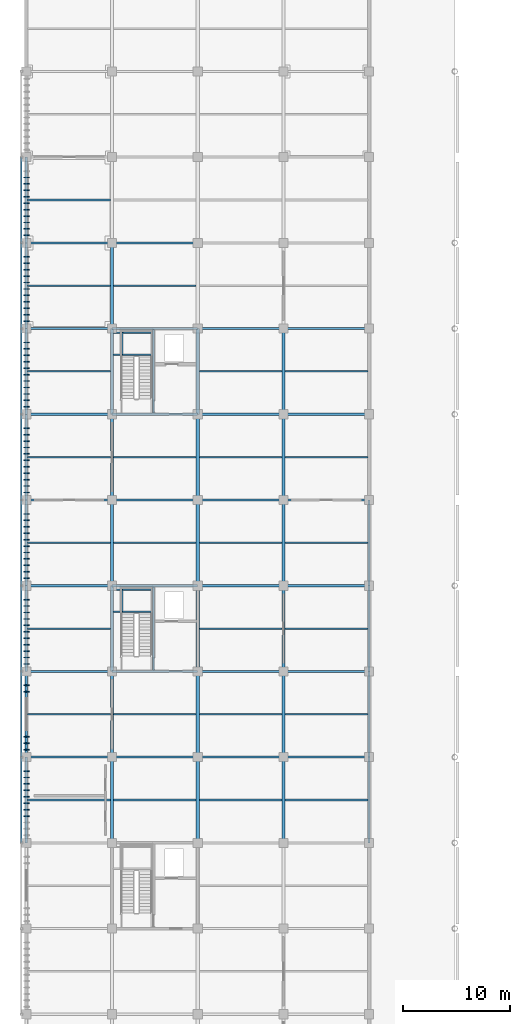
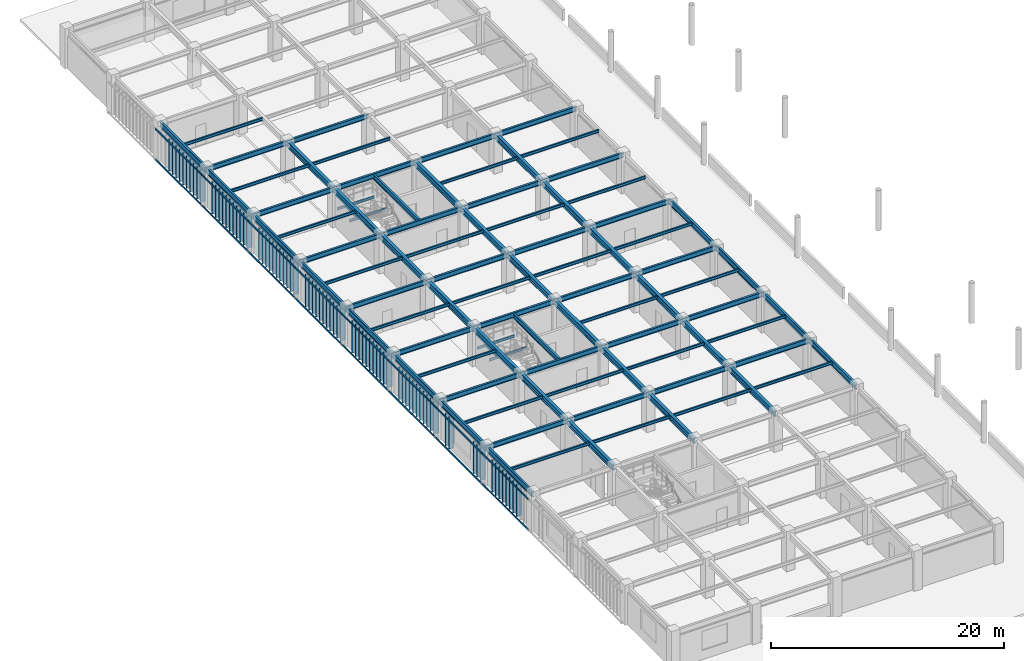
# One storey, part 27 of 78: 94 members, 90 beams.
"""IFC4 building model written with IfcOpenShell, lengths in metres."""

from ifc_helpers import new_model, si_unit, direction, frame, origin, origin_2d, place, context, subcontext, project, spatial, rectangle, hollow_rectangle, i_section, extrude, material, material_profile, profile_set, type_object, element, save


model = new_model("IFC4")

# Units and contexts
model_context = context("Model", 3, precision=1e-05, world=origin(), true_north=direction((0.0, 1.0)))
body_context = subcontext(model_context, "Body", "Model", "MODEL_VIEW")
ifc_project = project(units=[si_unit("LENGTHUNIT", "METRE"), si_unit("AREAUNIT", "SQUARE_METRE"), si_unit("VOLUMEUNIT", "CUBIC_METRE"), si_unit("PLANEANGLEUNIT", "RADIAN"), si_unit("MASSUNIT", "GRAM", prefix="KILO")], contexts=[model_context])

# Site, building, storey
site_placement = place(None, origin())
site = spatial("IfcSite", under=ifc_project, at=site_placement, CompositionType="ELEMENT")
building_placement = place(site_placement, origin())
building = spatial("IfcBuilding", under=site, at=building_placement, Name="Haebicheon Civic Stadium", CompositionType="ELEMENT")
storey_placement = place(building_placement, frame((0.0, 0.0, 18.60009765625)))
storey = spatial("IfcBuildingStorey", under=building, at=storey_placement, Name="L05", CompositionType="ELEMENT", Elevation=18.60009765625)

# Beams
ifc_material_1 = material(Name="Steel SM355 (S355)", Category="steel")
ifc_material_profile_1 = material_profile(ifc_material_1, i_section(OverallWidth=0.199951171875, OverallDepth=0.5, WebThickness=0.010009765625, FlangeThickness=0.01611328125, at=origin_2d()), Name="H-500x200x10x16")
ifc_profile_set_1 = profile_set([ifc_material_profile_1], Name="Steel SM355 (S355)")
beam_type_1 = type_object("IfcBeamType", Name="BM-ST-H500", PredefinedType="BEAM", material=ifc_profile_set_1)
for number, where, z_axis, x_axis, name in (
    (1, (24.0, 72.0, 3.699951171875), (1.0, 0.0, 0.0), (0.0, 1.0, 0.0), "L05 beam K/4-5"),
    (2, (24.0, 80.0, 3.699951171875), (1.0, 0.0, 0.0), (0.0, 1.0, 0.0), "L05 beam L/4-5"),
    (3, (24.0, 88.0, 3.699951171875), (1.0, 0.0, 0.0), (0.0, 1.0, 0.0), "L05 beam M/4-5"),
    (4, (24.0, 96.0, 3.699951171875), (1.0, 0.0, 0.0), (0.0, 1.0, 0.0), "L05 beam N/4-5"),
    (5, (24.0, 104.0, 3.699951171875), (1.0, 0.0, 0.0), (0.0, 1.0, 0.0), "L05 beam P/4-5"),
    (6, (24.0, 112.0, 3.699951171875), (1.0, 0.0, 0.0), (0.0, 1.0, 0.0), "L05 beam Q/4-5"),
    (7, (24.0, 120.0, 3.699951171875), (1.0, 0.0, 0.0), (0.0, 1.0, 0.0), "L05 beam R/4-5"),
    (8, (32.0, 72.0, 3.699951171875), (1.0, 0.0, 0.0), (0.0, 1.0, 0.0), "L05 beam K/5-6"),
    (9, (32.0, 80.0, 3.699951171875), (1.0, 0.0, 0.0), (0.0, 1.0, 0.0), "L05 beam L/5-6"),
    (10, (32.0, 88.0, 3.699951171875), (1.0, 0.0, 0.0), (0.0, 1.0, 0.0), "L05 beam M/5-6"),
    (11, (32.0, 96.0, 3.699951171875), (1.0, 0.0, 0.0), (0.0, 1.0, 0.0), "L05 beam N/5-6"),
    (12, (32.0, 104.0, 3.699951171875), (1.0, 0.0, 0.0), (0.0, 1.0, 0.0), "L05 beam P/5-6"),
    (13, (32.0, 112.0, 3.699951171875), (1.0, 0.0, 0.0), (0.0, 1.0, 0.0), "L05 beam Q/5-6"),
    (14, (32.0, 120.0, 3.699951171875), (1.0, 0.0, 0.0), (0.0, 1.0, 0.0), "L05 beam R/5-6"),
    (15, (40.0, 72.0, 3.699951171875), (1.0, 0.0, 0.0), (0.0, 1.0, 0.0), "L05 beam K/6-7"),
    (16, (40.0, 80.0, 3.699951171875), (1.0, 0.0, 0.0), (0.0, 1.0, 0.0), "L05 beam L/6-7"),
    (17, (40.0, 88.0, 3.699951171875), (1.0, 0.0, 0.0), (0.0, 1.0, 0.0), "L05 beam M/6-7"),
    (18, (40.0, 96.0, 3.699951171875), (1.0, 0.0, 0.0), (0.0, 1.0, 0.0), "L05 beam N/6-7"),
    (19, (40.0, 104.0, 3.699951171875), (1.0, 0.0, 0.0), (0.0, 1.0, 0.0), "L05 beam P/6-7"),
    (20, (40.0, 112.0, 3.699951171875), (1.0, 0.0, 0.0), (0.0, 1.0, 0.0), "L05 beam Q/6-7"),
    (21, (48.0, 72.0, 3.72998046875), (1.0, 0.0, 0.0), (0.0, 1.0, 0.0), "L05 beam K/7-8"),
    (22, (48.0, 80.0, 3.72998046875), (1.0, 0.0, 0.0), (0.0, 1.0, 0.0), "L05 beam L/7-8"),
    (23, (48.0, 88.0, 3.72998046875), (1.0, 0.0, 0.0), (0.0, 1.0, 0.0), "L05 beam M/7-8"),
    (24, (48.0, 96.0, 3.72998046875), (1.0, 0.0, 0.0), (0.0, 1.0, 0.0), "L05 beam N/7-8"),
    (25, (48.0, 104.0, 3.72998046875), (1.0, 0.0, 0.0), (0.0, 1.0, 0.0), "L05 beam P/7-8"),
    (26, (48.0, 112.0, 3.72998046875), (1.0, 0.0, 0.0), (0.0, 1.0, 0.0), "L05 beam Q/7-8"),
):
    element("IfcBeam", number, at=place(storey_placement, frame(where, z_axis=z_axis, x_axis=x_axis)), inside=storey, type_object=beam_type_1, material=ifc_profile_set_1, Name=name, PredefinedType="BEAM", context=body_context, shape_type="SweptSolid", body=[
        extrude(i_section(OverallWidth=0.199951171875, OverallDepth=0.5, WebThickness=0.010009765625, FlangeThickness=0.01611328125, at=origin_2d()), origin(), (0.0, 0.0, 1.0), 8.0),
    ])
for number, where, z_axis, x_axis, name in (
    (27, (35.8798828125, 80.10009765625, 3.699951171875), (0.0, 1.0, 0.0), (-1.0, 0.0, 0.0), "L05 KC-03 core dividing wall support beam"),
    (28, (35.8798828125, 104.10009765625, 3.699951171875), (0.0, 1.0, 0.0), (-1.0, 0.0, 0.0), "L05 KC-04 core dividing wall support beam"),
):
    element("IfcBeam", number, at=place(storey_placement, frame(where, z_axis=z_axis, x_axis=x_axis)), inside=storey, type_object=beam_type_1, material=ifc_profile_set_1, Name=name, PredefinedType="BEAM", context=body_context, shape_type="SweptSolid", body=[
        extrude(i_section(OverallWidth=0.199951171875, OverallDepth=0.5, WebThickness=0.010009765625, FlangeThickness=0.01611328125, at=origin_2d()), origin(), (0.0, 0.0, 1.0), 7.7998046875),
    ])
ifc_material_2 = material(Name="Steel SM355 (S355)", Category="steel")
ifc_material_profile_2 = material_profile(ifc_material_2, i_section(OverallWidth=0.300048828125, OverallDepth=0.60009765625, WebThickness=0.011962890625, FlangeThickness=0.02001953125, at=origin_2d()), Name="H-600x300x12x20")
ifc_profile_set_2 = profile_set([ifc_material_profile_2], Name="Steel SM355 (S355)")
beam_type_2 = type_object("IfcBeamType", Name="BM-ST-H600A", PredefinedType="BEAM", material=ifc_profile_set_2)
for number, where, z_axis, x_axis, name in (
    (29, (32.0, 64.0, 3.64990234375), (0.0, 1.0, 0.0), (-1.0, 0.0, 0.0), "L05 girder 5/J-K"),
    (30, (32.0, 72.0, 3.64990234375), (0.0, 1.0, 0.0), (-1.0, 0.0, 0.0), "L05 girder 5/K-L"),
    (31, (32.0, 80.0, 3.64990234375), (0.0, 1.0, 0.0), (-1.0, 0.0, 0.0), "L05 girder 5/L-M"),
    (32, (32.0, 88.0, 3.64990234375), (0.0, 1.0, 0.0), (-1.0, 0.0, 0.0), "L05 girder 5/M-N"),
    (33, (32.0, 96.0, 3.64990234375), (0.0, 1.0, 0.0), (-1.0, 0.0, 0.0), "L05 girder 5/N-P"),
    (34, (32.0, 104.0, 3.64990234375), (0.0, 1.0, 0.0), (-1.0, 0.0, 0.0), "L05 girder 5/P-Q"),
    (35, (32.0, 112.0, 3.64990234375), (0.0, 1.0, 0.0), (-1.0, 0.0, 0.0), "L05 girder 5/Q-R"),
    (36, (40.0, 64.0, 3.64990234375), (0.0, 1.0, 0.0), (-1.0, 0.0, 0.0), "L05 girder 6/J-K"),
    (37, (40.0, 72.0, 3.64990234375), (0.0, 1.0, 0.0), (-1.0, 0.0, 0.0), "L05 girder 6/K-L"),
    (38, (40.0, 80.0, 3.64990234375), (0.0, 1.0, 0.0), (-1.0, 0.0, 0.0), "L05 girder 6/L-M"),
    (39, (40.0, 88.0, 3.64990234375), (0.0, 1.0, 0.0), (-1.0, 0.0, 0.0), "L05 girder 6/M-N"),
    (40, (40.0, 96.0, 3.64990234375), (0.0, 1.0, 0.0), (-1.0, 0.0, 0.0), "L05 girder 6/N-P"),
    (41, (40.0, 104.0, 3.64990234375), (0.0, 1.0, 0.0), (-1.0, 0.0, 0.0), "L05 girder 6/P-Q"),
    (42, (48.0, 64.0, 3.64990234375), (0.0, 1.0, 0.0), (-1.0, 0.0, 0.0), "L05 girder 7/J-K"),
    (43, (48.0, 72.0, 3.64990234375), (0.0, 1.0, 0.0), (-1.0, 0.0, 0.0), "L05 girder 7/K-L"),
    (44, (48.0, 80.0, 3.64990234375), (0.0, 1.0, 0.0), (-1.0, 0.0, 0.0), "L05 girder 7/L-M"),
    (45, (48.0, 88.0, 3.64990234375), (0.0, 1.0, 0.0), (-1.0, 0.0, 0.0), "L05 girder 7/M-N"),
    (46, (48.0, 96.0, 3.64990234375), (0.0, 1.0, 0.0), (-1.0, 0.0, 0.0), "L05 girder 7/N-P"),
    (47, (48.0, 104.0, 3.64990234375), (0.0, 1.0, 0.0), (-1.0, 0.0, 0.0), "L05 girder 7/P-Q"),
):
    element("IfcBeam", number, at=place(storey_placement, frame(where, z_axis=z_axis, x_axis=x_axis)), inside=storey, type_object=beam_type_2, material=ifc_profile_set_2, Name=name, PredefinedType="BEAM", context=body_context, shape_type="SweptSolid", body=[
        extrude(i_section(OverallWidth=0.300048828125, OverallDepth=0.60009765625, WebThickness=0.011962890625, FlangeThickness=0.02001953125, at=origin_2d()), origin(), (0.0, 0.0, 1.0), 8.0),
    ])
ifc_material_3 = material(Name="Steel SM355 (S355)", Category="steel")
ifc_material_profile_3 = material_profile(ifc_material_3, i_section(OverallWidth=0.125, OverallDepth=0.25, WebThickness=0.006103515625, FlangeThickness=0.009033203125, at=origin_2d()), Name="H-250x125x6x9")
ifc_profile_set_3 = profile_set([ifc_material_profile_3], Name="Steel SM355 (S355)")
beam_type_3 = type_object("IfcBeamType", Name="JST-ST-H250", PredefinedType="JOIST", material=ifc_profile_set_3)
for number, where, z_axis, x_axis, name in (
    (48, (32.080078125, 85.570068359375, 1.77197265625), (1.0, 0.0, 0.0), (0.0, 1.0, 0.0), "KC-03 L05 stair half-landing front trimmer beam"),
    (49, (32.080078125, 87.6201171875, 1.77197265625), (1.0, 0.0, 0.0), (0.0, 1.0, 0.0), "KC-03 L05 stair half-landing rear trimmer beam"),
):
    element("IfcBeam", number, at=place(storey_placement, frame(where, z_axis=z_axis, x_axis=x_axis)), inside=storey, type_object=beam_type_3, material=ifc_profile_set_3, Name=name, PredefinedType="JOIST", context=body_context, shape_type="SweptSolid", body=[
        extrude(i_section(OverallWidth=0.125, OverallDepth=0.25, WebThickness=0.006103515625, FlangeThickness=0.009033203125, at=origin_2d()), origin(), (0.0, 0.0, 1.0), 3.719970703125),
    ])
beam_1_placement = place(storey_placement, frame((32.9599609375, 85.570068359375, 1.77197265625), z_axis=(0.0, 1.0, 0.0), x_axis=(-1.0, 0.0, 0.0)))
element("IfcBeam", 50, at=beam_1_placement, inside=storey, type_object=beam_type_3, material=ifc_profile_set_3, Name="KC-03 L05 stair half-landing transverse tie beam", PredefinedType="JOIST", context=body_context, shape_type="SweptSolid", body=[
    extrude(i_section(OverallWidth=0.125, OverallDepth=0.25, WebThickness=0.006103515625, FlangeThickness=0.009033203125, at=origin_2d()), origin(), (0.0, 0.0, 1.0), 2.050048828125),
])
for number, where, z_axis, x_axis, name in (
    (51, (32.080078125, 109.570068359375, 1.77197265625), (1.0, 0.0, 0.0), (0.0, 1.0, 0.0), "KC-04 L05 stair half-landing front trimmer beam"),
    (52, (32.080078125, 111.6201171875, 1.77197265625), (1.0, 0.0, 0.0), (0.0, 1.0, 0.0), "KC-04 L05 stair half-landing rear trimmer beam"),
):
    element("IfcBeam", number, at=place(storey_placement, frame(where, z_axis=z_axis, x_axis=x_axis)), inside=storey, type_object=beam_type_3, material=ifc_profile_set_3, Name=name, PredefinedType="JOIST", context=body_context, shape_type="SweptSolid", body=[
        extrude(i_section(OverallWidth=0.125, OverallDepth=0.25, WebThickness=0.006103515625, FlangeThickness=0.009033203125, at=origin_2d()), origin(), (0.0, 0.0, 1.0), 3.719970703125),
    ])
beam_2_placement = place(storey_placement, frame((32.9599609375, 109.570068359375, 1.77197265625), z_axis=(0.0, 1.0, 0.0), x_axis=(-1.0, 0.0, 0.0)))
element("IfcBeam", 53, at=beam_2_placement, inside=storey, type_object=beam_type_3, material=ifc_profile_set_3, Name="KC-04 L05 stair half-landing transverse tie beam", PredefinedType="JOIST", context=body_context, shape_type="SweptSolid", body=[
    extrude(i_section(OverallWidth=0.125, OverallDepth=0.25, WebThickness=0.006103515625, FlangeThickness=0.009033203125, at=origin_2d()), origin(), (0.0, 0.0, 1.0), 2.050048828125),
])
ifc_material_4 = material(Name="Steel SM355 (S355)", Category="steel")
ifc_material_profile_4 = material_profile(ifc_material_4, i_section(OverallWidth=0.14990234375, OverallDepth=0.300048828125, WebThickness=0.006591796875, FlangeThickness=0.009033203125, at=origin_2d()), Name="H-300x150x6.5x9")
ifc_profile_set_4 = profile_set([ifc_material_profile_4], Name="Steel SM355 (S355)")
beam_type_4 = type_object("IfcBeamType", Name="JST-ST-H300", PredefinedType="JOIST", material=ifc_profile_set_4)
for number, where, z_axis, x_axis, name in (
    (54, (24.10009765625, 68.0, 3.7998046875), (1.0, 0.0, 0.0), (0.0, 1.0, 0.0), "L05 secondary joist 03-08"),
    (55, (24.10009765625, 76.0, 3.7998046875), (1.0, 0.0, 0.0), (0.0, 1.0, 0.0), "L05 secondary joist 03-09"),
    (56, (24.10009765625, 84.0, 3.7998046875), (1.0, 0.0, 0.0), (0.0, 1.0, 0.0), "L05 secondary joist 03-10"),
    (57, (24.10009765625, 92.0, 3.7998046875), (1.0, 0.0, 0.0), (0.0, 1.0, 0.0), "L05 secondary joist 03-11"),
    (58, (24.10009765625, 100.0, 3.7998046875), (1.0, 0.0, 0.0), (0.0, 1.0, 0.0), "L05 secondary joist 03-12"),
    (59, (24.10009765625, 108.0, 3.7998046875), (1.0, 0.0, 0.0), (0.0, 1.0, 0.0), "L05 secondary joist 03-13"),
    (60, (24.10009765625, 116.0, 3.7998046875), (1.0, 0.0, 0.0), (0.0, 1.0, 0.0), "L05 secondary joist 03-14"),
    (61, (24.10009765625, 124.0, 3.7998046875), (1.0, 0.0, 0.0), (0.0, 1.0, 0.0), "L05 secondary joist 03-15"),
):
    element("IfcBeam", number, at=place(storey_placement, frame(where, z_axis=z_axis, x_axis=x_axis)), inside=storey, type_object=beam_type_4, material=ifc_profile_set_4, Name=name, PredefinedType="JOIST", context=body_context, shape_type="SweptSolid", body=[
        extrude(i_section(OverallWidth=0.14990234375, OverallDepth=0.300048828125, WebThickness=0.006591796875, FlangeThickness=0.009033203125, at=origin_2d()), origin(), (0.0, 0.0, 1.0), 7.75),
    ])
for number, where, z_axis, x_axis, name in (
    (62, (32.14990234375, 68.0, 3.7998046875), (1.0, 0.0, 0.0), (0.0, 1.0, 0.0), "L05 secondary joist 04-08"),
    (63, (32.14990234375, 76.0, 3.7998046875), (1.0, 0.0, 0.0), (0.0, 1.0, 0.0), "L05 secondary joist 04-09"),
    (64, (32.14990234375, 92.0, 3.7998046875), (1.0, 0.0, 0.0), (0.0, 1.0, 0.0), "L05 secondary joist 04-11"),
    (65, (32.14990234375, 100.0, 3.7998046875), (1.0, 0.0, 0.0), (0.0, 1.0, 0.0), "L05 secondary joist 04-12"),
    (66, (32.14990234375, 116.0, 3.7998046875), (1.0, 0.0, 0.0), (0.0, 1.0, 0.0), "L05 secondary joist 04-14"),
    (67, (40.14990234375, 68.0, 3.7998046875), (1.0, 0.0, 0.0), (0.0, 1.0, 0.0), "L05 secondary joist 05-08"),
    (68, (40.14990234375, 76.0, 3.7998046875), (1.0, 0.0, 0.0), (0.0, 1.0, 0.0), "L05 secondary joist 05-09"),
    (69, (40.14990234375, 84.0, 3.7998046875), (1.0, 0.0, 0.0), (0.0, 1.0, 0.0), "L05 secondary joist 05-10"),
    (70, (40.14990234375, 92.0, 3.7998046875), (1.0, 0.0, 0.0), (0.0, 1.0, 0.0), "L05 secondary joist 05-11"),
    (71, (40.14990234375, 100.0, 3.7998046875), (1.0, 0.0, 0.0), (0.0, 1.0, 0.0), "L05 secondary joist 05-12"),
    (72, (40.14990234375, 108.0, 3.7998046875), (1.0, 0.0, 0.0), (0.0, 1.0, 0.0), "L05 secondary joist 05-13"),
):
    element("IfcBeam", number, at=place(storey_placement, frame(where, z_axis=z_axis, x_axis=x_axis)), inside=storey, type_object=beam_type_4, material=ifc_profile_set_4, Name=name, PredefinedType="JOIST", context=body_context, shape_type="SweptSolid", body=[
        extrude(i_section(OverallWidth=0.14990234375, OverallDepth=0.300048828125, WebThickness=0.006591796875, FlangeThickness=0.009033203125, at=origin_2d()), origin(), (0.0, 0.0, 1.0), 7.7001953125),
    ])
for number, where, z_axis, x_axis, name in (
    (73, (48.14990234375, 68.0, 3.829833984375), (1.0, 0.0, 0.0), (0.0, 1.0, 0.0), "L05 secondary joist 06-08"),
    (74, (48.14990234375, 76.0, 3.829833984375), (1.0, 0.0, 0.0), (0.0, 1.0, 0.0), "L05 secondary joist 06-09"),
    (75, (48.14990234375, 84.0, 3.829833984375), (1.0, 0.0, 0.0), (0.0, 1.0, 0.0), "L05 secondary joist 06-10"),
    (76, (48.14990234375, 92.0, 3.829833984375), (1.0, 0.0, 0.0), (0.0, 1.0, 0.0), "L05 secondary joist 06-11"),
    (77, (48.14990234375, 100.0, 3.829833984375), (1.0, 0.0, 0.0), (0.0, 1.0, 0.0), "L05 secondary joist 06-12"),
    (78, (48.14990234375, 108.0, 3.829833984375), (1.0, 0.0, 0.0), (0.0, 1.0, 0.0), "L05 secondary joist 06-13"),
):
    element("IfcBeam", number, at=place(storey_placement, frame(where, z_axis=z_axis, x_axis=x_axis)), inside=storey, type_object=beam_type_4, material=ifc_profile_set_4, Name=name, PredefinedType="JOIST", context=body_context, shape_type="SweptSolid", body=[
        extrude(i_section(OverallWidth=0.14990234375, OverallDepth=0.300048828125, WebThickness=0.006591796875, FlangeThickness=0.009033203125, at=origin_2d()), origin(), (0.0, 0.0, 1.0), 7.75),
    ])

# Members
ifc_material_5 = material(Name="Acetylated timber GL28h", Category="wood")
ifc_material_profile_5 = material_profile(ifc_material_5, rectangle(XDim=0.080078125, YDim=0.52001953125, at=origin_2d()), Name="TMB-LOUV-80x520")
ifc_profile_set_5 = profile_set([ifc_material_profile_5], Name="Acetylated timber GL28h")
member_type_1 = type_object("IfcMemberType", Name="LVR-TIM-520x80", PredefinedType="PLATE", material=ifc_profile_set_5)
for number, where, z_axis, x_axis, name in (
    (79, (24.02001953125, 66.5, -0.1201171875), (0.0, 0.0, 1.0), (0.0, 1.0, 0.0), "SCR-WEST L05 acetylated timber storm louvre fin 3.4"),
    (80, (24.02001953125, 67.10009765625, -0.1201171875), (0.0, 0.0, 1.0), (0.0, 1.0, 0.0), "SCR-WEST L05 acetylated timber storm louvre fin 3.5"),
    (81, (24.02001953125, 67.699951171875, -0.1201171875), (0.0, 0.0, 1.0), (0.0, 1.0, 0.0), "SCR-WEST L05 acetylated timber storm louvre fin 3.6"),
    (82, (24.02001953125, 68.300048828125, -0.1201171875), (0.0, 0.0, 1.0), (0.0, 1.0, 0.0), "SCR-WEST L05 acetylated timber storm louvre fin 3.7"),
    (83, (24.02001953125, 68.89990234375, -0.1201171875), (0.0, 0.0, 1.0), (0.0, 1.0, 0.0), "SCR-WEST L05 acetylated timber storm louvre fin 3.8"),
    (84, (24.02001953125, 69.5, -0.1201171875), (0.0, 0.0, 1.0), (0.0, 1.0, 0.0), "SCR-WEST L05 acetylated timber storm louvre fin 3.9"),
    (85, (24.02001953125, 70.10009765625, -0.1201171875), (0.0, 0.0, 1.0), (0.0, 1.0, 0.0), "SCR-WEST L05 acetylated timber storm louvre fin 3.10"),
    (86, (24.02001953125, 70.699951171875, -0.1201171875), (0.0, 0.0, 1.0), (0.0, 1.0, 0.0), "SCR-WEST L05 acetylated timber storm louvre fin 3.11"),
    (87, (24.02001953125, 72.699951171875, -0.1201171875), (0.0, 0.0, 1.0), (0.0, 1.0, 0.0), "SCR-WEST L05 acetylated timber storm louvre fin 4.1"),
    (88, (24.02001953125, 73.300048828125, -0.1201171875), (0.0, 0.0, 1.0), (0.0, 1.0, 0.0), "SCR-WEST L05 acetylated timber storm louvre fin 4.2"),
    (89, (24.02001953125, 73.89990234375, -0.1201171875), (0.0, 0.0, 1.0), (0.0, 1.0, 0.0), "SCR-WEST L05 acetylated timber storm louvre fin 4.3"),
    (90, (24.02001953125, 78.10009765625, -0.1201171875), (0.0, 0.0, 1.0), (0.0, 1.0, 0.0), "SCR-WEST L05 acetylated timber storm louvre fin 4.10"),
    (91, (24.02001953125, 78.699951171875, -0.1201171875), (0.0, 0.0, 1.0), (0.0, 1.0, 0.0), "SCR-WEST L05 acetylated timber storm louvre fin 4.11"),
    (92, (24.02001953125, 80.699951171875, -0.1201171875), (0.0, 0.0, 1.0), (0.0, 1.0, 0.0), "SCR-WEST L05 acetylated timber storm louvre fin 5.1"),
    (93, (24.02001953125, 81.300048828125, -0.1201171875), (0.0, 0.0, 1.0), (0.0, 1.0, 0.0), "SCR-WEST L05 acetylated timber storm louvre fin 5.2"),
    (94, (24.02001953125, 81.89990234375, -0.1201171875), (0.0, 0.0, 1.0), (0.0, 1.0, 0.0), "SCR-WEST L05 acetylated timber storm louvre fin 5.3"),
    (95, (24.02001953125, 82.5, -0.1201171875), (0.0, 0.0, 1.0), (0.0, 1.0, 0.0), "SCR-WEST L05 acetylated timber storm louvre fin 5.4"),
    (96, (24.02001953125, 83.10009765625, -0.1201171875), (0.0, 0.0, 1.0), (0.0, 1.0, 0.0), "SCR-WEST L05 acetylated timber storm louvre fin 5.5"),
    (97, (24.02001953125, 83.699951171875, -0.1201171875), (0.0, 0.0, 1.0), (0.0, 1.0, 0.0), "SCR-WEST L05 acetylated timber storm louvre fin 5.6"),
    (98, (24.02001953125, 84.300048828125, -0.1201171875), (0.0, 0.0, 1.0), (0.0, 1.0, 0.0), "SCR-WEST L05 acetylated timber storm louvre fin 5.7"),
    (99, (24.02001953125, 84.89990234375, -0.1201171875), (0.0, 0.0, 1.0), (0.0, 1.0, 0.0), "SCR-WEST L05 acetylated timber storm louvre fin 5.8"),
    (100, (24.02001953125, 85.5, -0.1201171875), (0.0, 0.0, 1.0), (0.0, 1.0, 0.0), "SCR-WEST L05 acetylated timber storm louvre fin 5.9"),
    (101, (24.02001953125, 86.10009765625, -0.1201171875), (0.0, 0.0, 1.0), (0.0, 1.0, 0.0), "SCR-WEST L05 acetylated timber storm louvre fin 5.10"),
    (102, (24.02001953125, 86.699951171875, -0.1201171875), (0.0, 0.0, 1.0), (0.0, 1.0, 0.0), "SCR-WEST L05 acetylated timber storm louvre fin 5.11"),
    (103, (24.02001953125, 88.699951171875, -0.1201171875), (0.0, 0.0, 1.0), (0.0, 1.0, 0.0), "SCR-WEST L05 acetylated timber storm louvre fin 6.1"),
    (104, (24.02001953125, 89.300048828125, -0.1201171875), (0.0, 0.0, 1.0), (0.0, 1.0, 0.0), "SCR-WEST L05 acetylated timber storm louvre fin 6.2"),
    (105, (24.02001953125, 89.89990234375, -0.1201171875), (0.0, 0.0, 1.0), (0.0, 1.0, 0.0), "SCR-WEST L05 acetylated timber storm louvre fin 6.3"),
    (106, (24.02001953125, 90.5, -0.1201171875), (0.0, 0.0, 1.0), (0.0, 1.0, 0.0), "SCR-WEST L05 acetylated timber storm louvre fin 6.4"),
    (107, (24.02001953125, 91.10009765625, -0.1201171875), (0.0, 0.0, 1.0), (0.0, 1.0, 0.0), "SCR-WEST L05 acetylated timber storm louvre fin 6.5"),
    (108, (24.02001953125, 91.699951171875, -0.1201171875), (0.0, 0.0, 1.0), (0.0, 1.0, 0.0), "SCR-WEST L05 acetylated timber storm louvre fin 6.6"),
    (109, (24.02001953125, 92.300048828125, -0.1201171875), (0.0, 0.0, 1.0), (0.0, 1.0, 0.0), "SCR-WEST L05 acetylated timber storm louvre fin 6.7"),
    (110, (24.02001953125, 92.89990234375, -0.1201171875), (0.0, 0.0, 1.0), (0.0, 1.0, 0.0), "SCR-WEST L05 acetylated timber storm louvre fin 6.8"),
    (111, (24.02001953125, 93.5, -0.1201171875), (0.0, 0.0, 1.0), (0.0, 1.0, 0.0), "SCR-WEST L05 acetylated timber storm louvre fin 6.9"),
    (112, (24.02001953125, 94.10009765625, -0.1201171875), (0.0, 0.0, 1.0), (0.0, 1.0, 0.0), "SCR-WEST L05 acetylated timber storm louvre fin 6.10"),
    (113, (24.02001953125, 94.699951171875, -0.1201171875), (0.0, 0.0, 1.0), (0.0, 1.0, 0.0), "SCR-WEST L05 acetylated timber storm louvre fin 6.11"),
    (114, (24.02001953125, 96.699951171875, -0.1201171875), (0.0, 0.0, 1.0), (0.0, 1.0, 0.0), "SCR-WEST L05 acetylated timber storm louvre fin 7.1"),
    (115, (24.02001953125, 97.300048828125, -0.1201171875), (0.0, 0.0, 1.0), (0.0, 1.0, 0.0), "SCR-WEST L05 acetylated timber storm louvre fin 7.2"),
    (116, (24.02001953125, 97.89990234375, -0.1201171875), (0.0, 0.0, 1.0), (0.0, 1.0, 0.0), "SCR-WEST L05 acetylated timber storm louvre fin 7.3"),
    (117, (24.02001953125, 98.5, -0.1201171875), (0.0, 0.0, 1.0), (0.0, 1.0, 0.0), "SCR-WEST L05 acetylated timber storm louvre fin 7.4"),
    (118, (24.02001953125, 99.10009765625, -0.1201171875), (0.0, 0.0, 1.0), (0.0, 1.0, 0.0), "SCR-WEST L05 acetylated timber storm louvre fin 7.5"),
    (119, (24.02001953125, 99.699951171875, -0.1201171875), (0.0, 0.0, 1.0), (0.0, 1.0, 0.0), "SCR-WEST L05 acetylated timber storm louvre fin 7.6"),
    (120, (24.02001953125, 100.300048828125, -0.1201171875), (0.0, 0.0, 1.0), (0.0, 1.0, 0.0), "SCR-WEST L05 acetylated timber storm louvre fin 7.7"),
    (121, (24.02001953125, 100.89990234375, -0.1201171875), (0.0, 0.0, 1.0), (0.0, 1.0, 0.0), "SCR-WEST L05 acetylated timber storm louvre fin 7.8"),
    (122, (24.02001953125, 101.5, -0.1201171875), (0.0, 0.0, 1.0), (0.0, 1.0, 0.0), "SCR-WEST L05 acetylated timber storm louvre fin 7.9"),
    (123, (24.02001953125, 102.10009765625, -0.1201171875), (0.0, 0.0, 1.0), (0.0, 1.0, 0.0), "SCR-WEST L05 acetylated timber storm louvre fin 7.10"),
    (124, (24.02001953125, 102.699951171875, -0.1201171875), (0.0, 0.0, 1.0), (0.0, 1.0, 0.0), "SCR-WEST L05 acetylated timber storm louvre fin 7.11"),
    (125, (24.02001953125, 104.699951171875, -0.1201171875), (0.0, 0.0, 1.0), (0.0, 1.0, 0.0), "SCR-WEST L05 acetylated timber storm louvre fin 8.1"),
    (126, (24.02001953125, 105.300048828125, -0.1201171875), (0.0, 0.0, 1.0), (0.0, 1.0, 0.0), "SCR-WEST L05 acetylated timber storm louvre fin 8.2"),
    (127, (24.02001953125, 105.89990234375, -0.1201171875), (0.0, 0.0, 1.0), (0.0, 1.0, 0.0), "SCR-WEST L05 acetylated timber storm louvre fin 8.3"),
    (128, (24.02001953125, 106.5, -0.1201171875), (0.0, 0.0, 1.0), (0.0, 1.0, 0.0), "SCR-WEST L05 acetylated timber storm louvre fin 8.4"),
    (129, (24.02001953125, 107.10009765625, -0.1201171875), (0.0, 0.0, 1.0), (0.0, 1.0, 0.0), "SCR-WEST L05 acetylated timber storm louvre fin 8.5"),
    (130, (24.02001953125, 107.699951171875, -0.1201171875), (0.0, 0.0, 1.0), (0.0, 1.0, 0.0), "SCR-WEST L05 acetylated timber storm louvre fin 8.6"),
    (131, (24.02001953125, 108.300048828125, -0.1201171875), (0.0, 0.0, 1.0), (0.0, 1.0, 0.0), "SCR-WEST L05 acetylated timber storm louvre fin 8.7"),
    (132, (24.02001953125, 108.89990234375, -0.1201171875), (0.0, 0.0, 1.0), (0.0, 1.0, 0.0), "SCR-WEST L05 acetylated timber storm louvre fin 8.8"),
    (133, (24.02001953125, 109.5, -0.1201171875), (0.0, 0.0, 1.0), (0.0, 1.0, 0.0), "SCR-WEST L05 acetylated timber storm louvre fin 8.9"),
    (134, (24.02001953125, 110.10009765625, -0.1201171875), (0.0, 0.0, 1.0), (0.0, 1.0, 0.0), "SCR-WEST L05 acetylated timber storm louvre fin 8.10"),
    (135, (24.02001953125, 110.699951171875, -0.1201171875), (0.0, 0.0, 1.0), (0.0, 1.0, 0.0), "SCR-WEST L05 acetylated timber storm louvre fin 8.11"),
    (136, (24.02001953125, 112.699951171875, -0.1201171875), (0.0, 0.0, 1.0), (0.0, 1.0, 0.0), "SCR-WEST L05 acetylated timber storm louvre fin 9.1"),
    (137, (24.02001953125, 113.300048828125, -0.1201171875), (0.0, 0.0, 1.0), (0.0, 1.0, 0.0), "SCR-WEST L05 acetylated timber storm louvre fin 9.2"),
    (138, (24.02001953125, 113.89990234375, -0.1201171875), (0.0, 0.0, 1.0), (0.0, 1.0, 0.0), "SCR-WEST L05 acetylated timber storm louvre fin 9.3"),
    (139, (24.02001953125, 114.5, -0.1201171875), (0.0, 0.0, 1.0), (0.0, 1.0, 0.0), "SCR-WEST L05 acetylated timber storm louvre fin 9.4"),
    (140, (24.02001953125, 115.10009765625, -0.1201171875), (0.0, 0.0, 1.0), (0.0, 1.0, 0.0), "SCR-WEST L05 acetylated timber storm louvre fin 9.5"),
    (141, (24.02001953125, 115.699951171875, -0.1201171875), (0.0, 0.0, 1.0), (0.0, 1.0, 0.0), "SCR-WEST L05 acetylated timber storm louvre fin 9.6"),
    (142, (24.02001953125, 116.300048828125, -0.1201171875), (0.0, 0.0, 1.0), (0.0, 1.0, 0.0), "SCR-WEST L05 acetylated timber storm louvre fin 9.7"),
    (143, (24.02001953125, 116.89990234375, -0.1201171875), (0.0, 0.0, 1.0), (0.0, 1.0, 0.0), "SCR-WEST L05 acetylated timber storm louvre fin 9.8"),
    (144, (24.02001953125, 117.5, -0.1201171875), (0.0, 0.0, 1.0), (0.0, 1.0, 0.0), "SCR-WEST L05 acetylated timber storm louvre fin 9.9"),
    (145, (24.02001953125, 118.10009765625, -0.1201171875), (0.0, 0.0, 1.0), (0.0, 1.0, 0.0), "SCR-WEST L05 acetylated timber storm louvre fin 9.10"),
    (146, (24.02001953125, 118.699951171875, -0.1201171875), (0.0, 0.0, 1.0), (0.0, 1.0, 0.0), "SCR-WEST L05 acetylated timber storm louvre fin 9.11"),
    (147, (24.02001953125, 120.699951171875, -0.1201171875), (0.0, 0.0, 1.0), (0.0, 1.0, 0.0), "SCR-WEST L05 acetylated timber storm louvre fin 10.1"),
    (148, (24.02001953125, 121.300048828125, -0.1201171875), (0.0, 0.0, 1.0), (0.0, 1.0, 0.0), "SCR-WEST L05 acetylated timber storm louvre fin 10.2"),
    (149, (24.02001953125, 121.89990234375, -0.1201171875), (0.0, 0.0, 1.0), (0.0, 1.0, 0.0), "SCR-WEST L05 acetylated timber storm louvre fin 10.3"),
    (150, (24.02001953125, 122.5, -0.1201171875), (0.0, 0.0, 1.0), (0.0, 1.0, 0.0), "SCR-WEST L05 acetylated timber storm louvre fin 10.4"),
    (151, (24.02001953125, 123.10009765625, -0.1201171875), (0.0, 0.0, 1.0), (0.0, 1.0, 0.0), "SCR-WEST L05 acetylated timber storm louvre fin 10.5"),
    (152, (24.02001953125, 123.699951171875, -0.1201171875), (0.0, 0.0, 1.0), (0.0, 1.0, 0.0), "SCR-WEST L05 acetylated timber storm louvre fin 10.6"),
    (153, (24.02001953125, 124.300048828125, -0.1201171875), (0.0, 0.0, 1.0), (0.0, 1.0, 0.0), "SCR-WEST L05 acetylated timber storm louvre fin 10.7"),
    (154, (24.02001953125, 124.89990234375, -0.1201171875), (0.0, 0.0, 1.0), (0.0, 1.0, 0.0), "SCR-WEST L05 acetylated timber storm louvre fin 10.8"),
    (155, (24.02001953125, 125.5, -0.1201171875), (0.0, 0.0, 1.0), (0.0, 1.0, 0.0), "SCR-WEST L05 acetylated timber storm louvre fin 10.9"),
    (156, (24.02001953125, 126.10009765625, -0.1201171875), (0.0, 0.0, 1.0), (0.0, 1.0, 0.0), "SCR-WEST L05 acetylated timber storm louvre fin 10.10"),
):
    element("IfcMember", number, at=place(storey_placement, frame(where, z_axis=z_axis, x_axis=x_axis)), inside=storey, type_object=member_type_1, material=ifc_profile_set_5, Name=name, PredefinedType="PLATE", context=body_context, shape_type="SweptSolid", body=[
        extrude(rectangle(XDim=0.080078125, YDim=0.52001953125, at=origin_2d()), origin(), (0.0, 0.0, 1.0), 3.3701171875),
    ])

# Beams
ifc_material_6 = material(Name="Steel SM355 (S355)", Category="steel")
ifc_material_profile_6 = material_profile(ifc_material_6, i_section(OverallWidth=0.199951171875, OverallDepth=0.60009765625, WebThickness=0.010986328125, FlangeThickness=0.01708984375, at=origin_2d()), Name="H-600x200x11x17")
ifc_profile_set_6 = profile_set([ifc_material_profile_6], Name="Steel SM355 (S355)")
beam_type_5 = type_object("IfcBeamType", Name="SPD-ST-H600B", PredefinedType="SPANDREL", material=ifc_profile_set_6)
for number, where, z_axis, x_axis, name in (
    (157, (24.0, 64.0, 3.64990234375), (0.0, 1.0, 0.0), (-1.0, 0.0, 0.0), "L05 girder 4/J-K"),
    (158, (24.0, 72.0, 3.64990234375), (0.0, 1.0, 0.0), (-1.0, 0.0, 0.0), "L05 girder 4/K-L"),
    (159, (24.0, 80.0, 3.64990234375), (0.0, 1.0, 0.0), (-1.0, 0.0, 0.0), "L05 girder 4/L-M"),
    (160, (24.0, 88.0, 3.64990234375), (0.0, 1.0, 0.0), (-1.0, 0.0, 0.0), "L05 girder 4/M-N"),
    (161, (24.0, 96.0, 3.64990234375), (0.0, 1.0, 0.0), (-1.0, 0.0, 0.0), "L05 girder 4/N-P"),
    (162, (24.0, 104.0, 3.64990234375), (0.0, 1.0, 0.0), (-1.0, 0.0, 0.0), "L05 girder 4/P-Q"),
    (163, (24.0, 112.0, 3.64990234375), (0.0, 1.0, 0.0), (-1.0, 0.0, 0.0), "L05 girder 4/Q-R"),
    (164, (24.0, 120.0, 3.64990234375), (0.0, 1.0, 0.0), (-1.0, 0.0, 0.0), "L05 girder 4/R-S"),
    (165, (56.0, 64.0, 3.679931640625), (0.0, 1.0, 0.0), (-1.0, 0.0, 0.0), "L05 girder 8/J-K"),
    (166, (56.0, 72.0, 3.679931640625), (0.0, 1.0, 0.0), (-1.0, 0.0, 0.0), "L05 girder 8/K-L"),
    (167, (56.0, 80.0, 3.679931640625), (0.0, 1.0, 0.0), (-1.0, 0.0, 0.0), "L05 girder 8/L-M"),
    (168, (56.0, 88.0, 3.679931640625), (0.0, 1.0, 0.0), (-1.0, 0.0, 0.0), "L05 girder 8/M-N"),
):
    element("IfcBeam", number, at=place(storey_placement, frame(where, z_axis=z_axis, x_axis=x_axis)), inside=storey, type_object=beam_type_5, material=ifc_profile_set_6, Name=name, PredefinedType="SPANDREL", context=body_context, shape_type="SweptSolid", body=[
        extrude(i_section(OverallWidth=0.199951171875, OverallDepth=0.60009765625, WebThickness=0.010986328125, FlangeThickness=0.01708984375, at=origin_2d()), origin(), (0.0, 0.0, 1.0), 8.0),
    ])

# Members
ifc_material_7 = material(Name="Steel SM355 (S355)", Category="steel")
ifc_material_profile_7 = material_profile(ifc_material_7, hollow_rectangle(XDim=0.10009765625, YDim=0.14990234375, WallThickness=0.006103515625, at=origin_2d()), Name="RHS-150x100x6.0")
ifc_profile_set_7 = profile_set([ifc_material_profile_7], Name="Steel SM355 (S355)")
member_type_2 = type_object("IfcMemberType", Name="SUB-RHS150", PredefinedType="STRINGER", material=ifc_profile_set_7)
for number, where, z_axis, x_axis, name in (
    (169, (23.534912109375, 64.0, 0.059814453125), (0.0, 1.0, 0.0), (-1.0, 0.0, 0.0), "SCR-WEST L05 storm-louvre bottom carrier rail 3"),
    (170, (23.534912109375, 64.0, 3.25), (0.0, 1.0, 0.0), (-1.0, 0.0, 0.0), "SCR-WEST L05 storm-louvre top carrier rail 3"),
    (171, (23.534912109375, 72.0, 0.059814453125), (0.0, 1.0, 0.0), (-1.0, 0.0, 0.0), "SCR-WEST L05 storm-louvre bottom carrier rail 4"),
    (172, (23.534912109375, 72.0, 3.25), (0.0, 1.0, 0.0), (-1.0, 0.0, 0.0), "SCR-WEST L05 storm-louvre top carrier rail 4"),
    (173, (23.534912109375, 80.0, 0.059814453125), (0.0, 1.0, 0.0), (-1.0, 0.0, 0.0), "SCR-WEST L05 storm-louvre bottom carrier rail 5"),
    (174, (23.534912109375, 80.0, 3.25), (0.0, 1.0, 0.0), (-1.0, 0.0, 0.0), "SCR-WEST L05 storm-louvre top carrier rail 5"),
    (175, (23.534912109375, 88.0, 0.059814453125), (0.0, 1.0, 0.0), (-1.0, 0.0, 0.0), "SCR-WEST L05 storm-louvre bottom carrier rail 6"),
    (176, (23.534912109375, 88.0, 3.25), (0.0, 1.0, 0.0), (-1.0, 0.0, 0.0), "SCR-WEST L05 storm-louvre top carrier rail 6"),
    (177, (23.534912109375, 96.0, 0.059814453125), (0.0, 1.0, 0.0), (-1.0, 0.0, 0.0), "SCR-WEST L05 storm-louvre bottom carrier rail 7"),
    (178, (23.534912109375, 96.0, 3.25), (0.0, 1.0, 0.0), (-1.0, 0.0, 0.0), "SCR-WEST L05 storm-louvre top carrier rail 7"),
    (179, (23.534912109375, 104.0, 0.059814453125), (0.0, 1.0, 0.0), (-1.0, 0.0, 0.0), "SCR-WEST L05 storm-louvre bottom carrier rail 8"),
    (180, (23.534912109375, 104.0, 3.25), (0.0, 1.0, 0.0), (-1.0, 0.0, 0.0), "SCR-WEST L05 storm-louvre top carrier rail 8"),
    (181, (23.534912109375, 112.0, 0.059814453125), (0.0, 1.0, 0.0), (-1.0, 0.0, 0.0), "SCR-WEST L05 storm-louvre bottom carrier rail 9"),
    (182, (23.534912109375, 112.0, 3.25), (0.0, 1.0, 0.0), (-1.0, 0.0, 0.0), "SCR-WEST L05 storm-louvre top carrier rail 9"),
    (183, (23.534912109375, 120.0, 0.059814453125), (0.0, 1.0, 0.0), (-1.0, 0.0, 0.0), "SCR-WEST L05 storm-louvre bottom carrier rail 10"),
    (184, (23.534912109375, 120.0, 3.25), (0.0, 1.0, 0.0), (-1.0, 0.0, 0.0), "SCR-WEST L05 storm-louvre top carrier rail 10"),
):
    element("IfcMember", number, at=place(storey_placement, frame(where, z_axis=z_axis, x_axis=x_axis)), inside=storey, type_object=member_type_2, material=ifc_profile_set_7, Name=name, PredefinedType="STRINGER", context=body_context, shape_type="SweptSolid", body=[
        extrude(hollow_rectangle(XDim=0.10009765625, YDim=0.14990234375, WallThickness=0.006103515625, at=origin_2d()), origin(), (0.0, 0.0, 1.0), 8.0),
    ])

save(model, "model.ifc")
